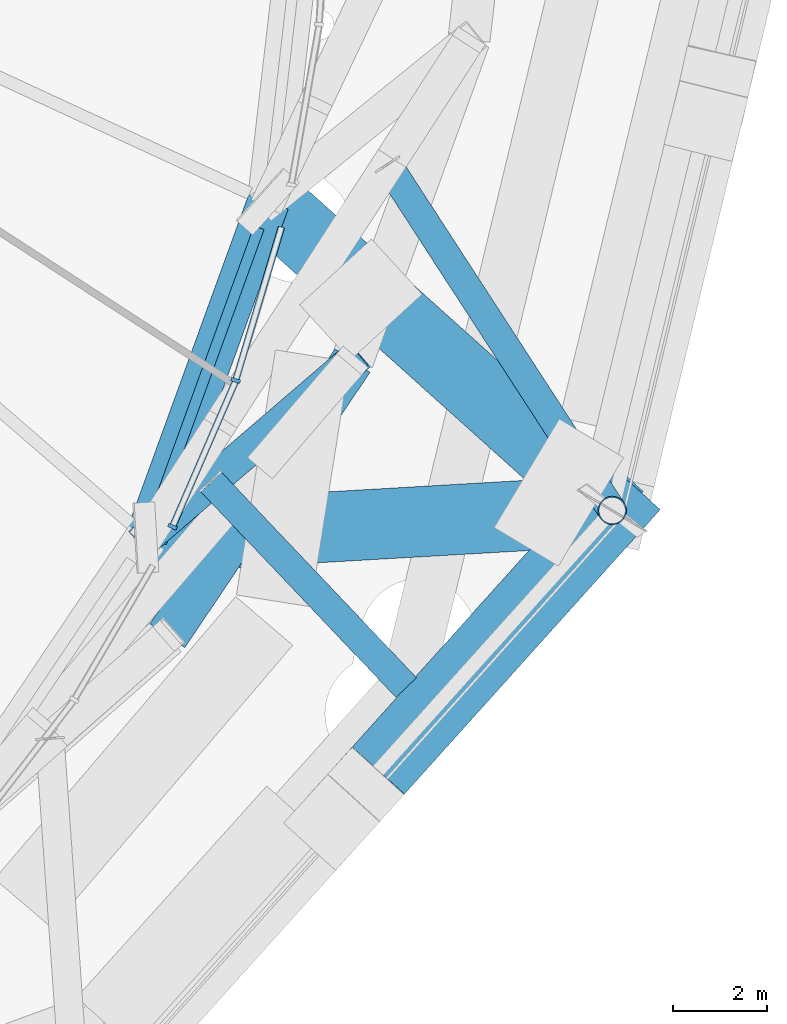
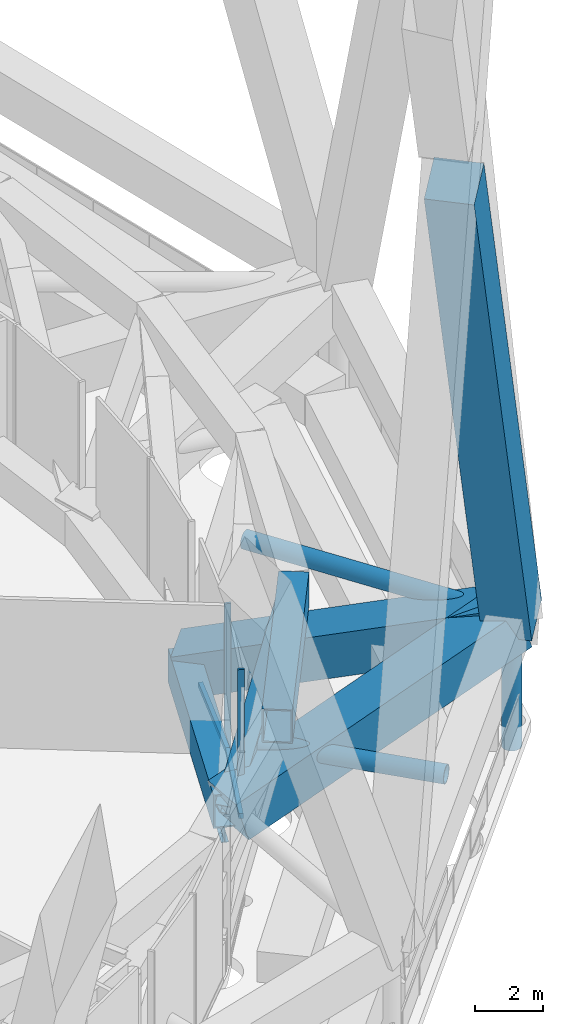
# One storey, part 20 of 49: 10 members, 4 beams, 2 elements without a shape of their own.
"""IFC4 building model written with IfcOpenShell, lengths in metres."""

from ifc_helpers import new_model, si_unit, direction, frame, origin, origin_2d, place, context, subcontext, project, spatial, rectangle, hollow_rectangle, hollow_circle, i_section, extrude, material, layer, layer_set, material_profile, profile_set, type_object, element, aggregate, save


model = new_model("IFC4")

# Units and contexts
model_context = context("Model", 3, precision=1e-05, world=origin(), true_north=direction((0.0, 1.0)))
body_context = subcontext(model_context, "Body", "Model", "MODEL_VIEW")
ifc_project = project(units=[si_unit("LENGTHUNIT", "METRE"), si_unit("AREAUNIT", "SQUARE_METRE"), si_unit("VOLUMEUNIT", "CUBIC_METRE"), si_unit("PLANEANGLEUNIT", "RADIAN"), si_unit("MASSUNIT", "GRAM", prefix="KILO")], contexts=[model_context])

# Site, building, storey
site_placement = place(None, origin())
site = spatial("IfcSite", under=ifc_project, at=site_placement, CompositionType="ELEMENT")
building_placement = place(site_placement, origin())
building = spatial("IfcBuilding", under=site, at=building_placement, Name="Nagisa Residences", CompositionType="ELEMENT")
storey_placement = place(building_placement, frame((0.0, 0.0, 160.300048828125)))
storey = spatial("IfcBuildingStorey", under=building, at=storey_placement, Name="L40", CompositionType="ELEMENT", Elevation=160.300048828125)

# Beams
ifc_material_1 = material(Name="Steel ASTM A572 Gr 50", Category="steel")
ifc_material_profile_1 = material_profile(ifc_material_1, hollow_rectangle(XDim=0.89990234375, YDim=1.199951171875, WallThickness=0.044921875, at=origin_2d()), Name="BX 900x1200x45")
ifc_profile_set_1 = profile_set([ifc_material_profile_1], Name="Steel ASTM A572 Gr 50")
beam_type_1 = type_object("IfcBeamType", Name="Belt chord 3 BX 900x1200x45", PredefinedType="BEAM", material=ifc_profile_set_1)
beam_1_placement = place(storey_placement, frame((21.189208984375, -20.064208984375, 4.739990234375), z_axis=(0.558147783438, 0.829741557259, 0.0), x_axis=(-0.829741557259, 0.558147783438, 0.0)))
element("IfcBeam", 1, at=beam_1_placement, inside=storey, type_object=beam_type_1, Name="beam:L40:bt3t22", PredefinedType="BEAM", context=body_context, shape_type="SweptSolid", body=[
    extrude(hollow_rectangle(XDim=0.89990234375, YDim=1.199951171875, WallThickness=0.044921875, at=origin_2d()), origin(), (0.0, 0.0, 1.0), 7.08251953125),
])
beam_2_placement = place(storey_placement, frame((20.7470703125, -17.965087890625, 0.599853515625), z_axis=(0.341339120312, 0.939940213495, 0.0), x_axis=(-0.939940213495, 0.341339120312, 0.0)))
element("IfcBeam", 2, at=beam_2_placement, inside=storey, type_object=beam_type_1, Name="beam:L40:bt3b23", PredefinedType="BEAM", context=body_context, shape_type="SweptSolid", body=[
    extrude(hollow_rectangle(XDim=0.89990234375, YDim=1.199951171875, WallThickness=0.044921875, at=origin_2d()), origin(), (0.0, 0.0, 1.0), 7.619384765625),
])
ifc_material_2 = material(Name="Steel ASTM A572 Gr 50", Category="steel")
ifc_material_profile_2 = material_profile(ifc_material_2, hollow_rectangle(XDim=0.699951171875, YDim=0.699951171875, WallThickness=0.0400390625, at=origin_2d()), Name="BX 700x700x40")
ifc_profile_set_2 = profile_set([ifc_material_profile_2], Name="Steel ASTM A572 Gr 50")
beam_type_2 = type_object("IfcBeamType", Name="Belt diagonal 3 BX 700x700x40", PredefinedType="BEAM", material=ifc_profile_set_2)
beam_3_placement = place(storey_placement, frame((20.7470703125, -17.965087890625, 0.599853515625), z_axis=(0.617100266315, 0.530377849286, 0.581280137542), x_axis=(-0.651807252842, 0.75838466832, 0.0)))
element("IfcBeam", 3, at=beam_3_placement, inside=storey, type_object=beam_type_2, Name="beam:L40:bt3da23", PredefinedType="BEAM", context=body_context, shape_type="SweptSolid", body=[
    extrude(hollow_rectangle(XDim=0.699951171875, YDim=0.699951171875, WallThickness=0.0400390625, at=origin_2d()), origin(), (0.0, 0.0, 1.0), 7.12255859375),
])

# Curtain wall, member
ifc_material_3 = material(Name="Aluminium curtain wall system", Category="aluminium")
ifc_layer = layer(ifc_material_3, 0.159912109375)
ifc_layer_set = layer_set([ifc_layer], Name="CW2 CURTAIN WALL")
curtain_wall_type = type_object("IfcCurtainWallType", Name="CW2 CURTAIN WALL", PredefinedType="NOTDEFINED", material=ifc_layer_set)
curtain_wall_1_placement = place(storey_placement, origin())
curtain_wall_1 = element("IfcCurtainWall", 4, at=curtain_wall_1_placement, inside=storey, type_object=curtain_wall_type, Name="cw:CW2:L40:44", PredefinedType="NOTDEFINED")
ifc_material_4 = material(Name="Aluminium", Category="aluminium")
ifc_material_profile_3 = material_profile(ifc_material_4, rectangle(XDim=0.199951171875, YDim=0.080078125, at=origin_2d()), Name="CW2 MULLION 200x80")
ifc_profile_set_3 = profile_set([ifc_material_profile_3], Name="Aluminium")
member_type_1 = type_object("IfcMemberType", Name="CW2 MULLION 200x80", PredefinedType="MULLION", material=ifc_profile_set_3)
member_1_placement = place(storey_placement, frame((21.301513671875, -17.73388671875, 0.0), z_axis=(0.0, 0.0, 1.0), x_axis=(-0.917543276295, 0.397635934147, 0.0)))
member_1 = element("IfcMember", 5, at=member_1_placement, type_object=member_type_1, Name="CW2 mullion", PredefinedType="MULLION", context=body_context, shape_type="SweptSolid", body=[
    extrude(rectangle(XDim=0.199951171875, YDim=0.080078125, at=origin_2d()), origin(), (0.0, 0.0, 1.0), 5.33984375),
])

curtain_wall_2_placement = place(storey_placement, origin())
curtain_wall_2 = element("IfcCurtainWall", 6, at=curtain_wall_2_placement, inside=storey, type_object=curtain_wall_type, Name="cw:CW2:L40:45", PredefinedType="NOTDEFINED")
member_2_placement = place(storey_placement, frame((22.64990234375, -14.611572265625, 0.0), z_axis=(0.0, 0.0, 1.0), x_axis=(-0.958271310082, 0.285860274038, 0.0)))
member_2 = element("IfcMember", 7, at=member_2_placement, type_object=member_type_1, Name="CW2 mullion", PredefinedType="MULLION", context=body_context, shape_type="SweptSolid", body=[
    extrude(rectangle(XDim=0.199951171875, YDim=0.080078125, at=origin_2d()), origin(), (0.0, 0.0, 1.0), 5.33984375),
])

# Member
ifc_material_5 = material(Name="Aluminium", Category="aluminium")
ifc_material_profile_4 = material_profile(ifc_material_5, rectangle(XDim=0.139892578125, YDim=0.179931640625, at=origin_2d()), Name="CW2 TRANSOM 140x180")
ifc_profile_set_4 = profile_set([ifc_material_profile_4], Name="Aluminium")
member_type_2 = type_object("IfcMemberType", Name="CW2 TRANSOM 140x180", PredefinedType="USERDEFINED", material=ifc_profile_set_4)
member_3_placement = place(storey_placement, frame((21.285400390625, -17.7705078125, 0.08984375), z_axis=(0.397699840424, 0.917515578574, 0.0), x_axis=(-0.917515578574, 0.397699840424, 0.0)))
member_3 = element("IfcMember", 8, at=member_3_placement, type_object=member_type_2, Name="CW2 transom", ObjectType="TRANSOM", PredefinedType="USERDEFINED", context=body_context, shape_type="SweptSolid", body=[
    extrude(rectangle(XDim=0.139892578125, YDim=0.179931640625, at=origin_2d()), origin(), (0.0, 0.0, 1.0), 3.41064453125),
])

aggregate(curtain_wall_1, [member_1, member_3])

member_4_placement = place(storey_placement, frame((22.638427734375, -14.64990234375, 0.08984375), z_axis=(0.285862077176, 0.95827077219, 0.0), x_axis=(-0.95827077219, 0.285862077176, 0.0)))
member_4 = element("IfcMember", 9, at=member_4_placement, type_object=member_type_2, Name="CW2 transom", ObjectType="TRANSOM", PredefinedType="USERDEFINED", context=body_context, shape_type="SweptSolid", body=[
    extrude(rectangle(XDim=0.139892578125, YDim=0.179931640625, at=origin_2d()), origin(), (0.0, 0.0, 1.0), 3.452880859375),
])

aggregate(curtain_wall_2, [member_2, member_4])

# Members
ifc_material_6 = material(Name="Concrete C80", Category="concrete")
ifc_material_profile_5 = material_profile(ifc_material_6, rectangle(XDim=1.5, YDim=1.5, at=origin_2d()), Name="C80 1500x1500")
ifc_profile_set_5 = profile_set([ifc_material_profile_5], Name="Concrete C80")
member_type_3 = type_object("IfcMemberType", Name="Cage bracket 4 C80 1500x1500", PredefinedType="BRACE", material=ifc_profile_set_5)
member_5_placement = place(storey_placement, frame((30.68505859375, -17.387451171875, 3.699951171875), z_axis=(-0.709985123832, 0.63712736847, -0.299983066663), x_axis=(-0.667887231117, -0.744262484955, 0.0)))
element("IfcMember", 10, at=member_5_placement, inside=storey, type_object=member_type_3, Name="mem:L40:cg3ob09", PredefinedType="BRACE", context=body_context, shape_type="SweptSolid", body=[
    extrude(rectangle(XDim=1.5, YDim=1.5, at=origin_2d()), origin(), (0.0, 0.0, 1.0), 10.334228515625),
])
member_6_placement = place(storey_placement, frame((30.68505859375, -17.387451171875, 3.699951171875), z_axis=(-0.953164734224, -0.055401851353, -0.297334196315), x_axis=(0.058026173951, -0.99831506206, 0.0)))
element("IfcMember", 11, at=member_6_placement, inside=storey, type_object=member_type_3, Name="mem:L40:cg3ob10", PredefinedType="BRACE", context=body_context, shape_type="SweptSolid", body=[
    extrude(rectangle(XDim=1.5, YDim=1.5, at=origin_2d()), origin(), (0.0, 0.0, 1.0), 10.42626953125),
])
ifc_material_7 = material(Name="Concrete C80", Category="concrete")
ifc_material_profile_6 = material_profile(ifc_material_7, rectangle(XDim=1.5, YDim=1.5, at=origin_2d()), Name="C80 1500x1500")
ifc_profile_set_6 = profile_set([ifc_material_profile_6], Name="Concrete C80")
member_type_4 = type_object("IfcMemberType", Name="Cage diagonal 4 C80 1500x1500", PredefinedType="BRACE", material=ifc_profile_set_6)
member_7_placement = place(storey_placement, frame((30.68505859375, -17.387451171875, 3.699951171875), z_axis=(-0.240098829084, -0.266960180827, 0.933319245556), x_axis=(0.743523069857, -0.668710284496, 0.0)))
element("IfcMember", 12, at=member_7_placement, inside=storey, type_object=member_type_4, Name="mem:L40:cg4d022a", PredefinedType="BRACE", context=body_context, shape_type="SweptSolid", body=[
    extrude(rectangle(XDim=1.5, YDim=1.5, at=origin_2d()), origin(), (0.0, 0.0, 1.0), 22.740478515625),
])
ifc_material_8 = material(Name="Steel ASTM A572 Gr 65", Category="steel")
ifc_material_profile_7 = material_profile(ifc_material_8, hollow_circle(Radius=0.304931640625, WallThickness=0.02490234375, at=origin_2d()), Name="CHS 610x25")
ifc_profile_set_7 = profile_set([ifc_material_profile_7], Name="Steel ASTM A572 Gr 65")
member_type_5 = type_object("IfcMemberType", Name="Cage strut CHS 610x25", PredefinedType="STRUT", material=ifc_profile_set_7)
member_8_placement = place(storey_placement, frame((26.28955078125, -21.165283203125, 1.89990234375), z_axis=(-0.688352506406, 0.725376334688, 0.0), x_axis=(-0.725376334688, -0.688352506406, 0.0)))
element("IfcMember", 13, at=member_8_placement, inside=storey, type_object=member_type_5, Name="mem:L40:bt3st3a12", PredefinedType="STRUT", context=body_context, shape_type="SweptSolid", body=[
    extrude(hollow_circle(Radius=0.304931640625, WallThickness=0.02490234375, at=origin_2d()), origin(), (0.0, 0.0, 1.0), 6.046875),
])
member_9_placement = place(storey_placement, frame((30.68505859375, -17.387451171875, 3.699951171875), z_axis=(-0.544366467882, 0.838847512153, 0.0), x_axis=(-0.838847512153, -0.544366467882, 0.0)))
element("IfcMember", 14, at=member_9_placement, inside=storey, type_object=member_type_5, Name="mem:L40:bt3st4b12", PredefinedType="STRUT", context=body_context, shape_type="SweptSolid", body=[
    extrude(hollow_circle(Radius=0.304931640625, WallThickness=0.02490234375, at=origin_2d()), origin(), (0.0, 0.0, 1.0), 8.792236328125),
])
ifc_material_9 = material(Name="Steel ASTM A572 Gr 65", Category="steel")
ifc_material_profile_8 = material_profile(ifc_material_9, hollow_circle(Radius=0.304931640625, WallThickness=0.02490234375, at=origin_2d()), Name="CHS 610x25")
ifc_profile_set_8 = profile_set([ifc_material_profile_8], Name="Steel ASTM A572 Gr 65")
member_type_6 = type_object("IfcMemberType", Name="Deck hanger CHS 610x25", PredefinedType="POST", material=ifc_profile_set_8)
member_10_placement = place(storey_placement, frame((30.68505859375, -17.387451171875, 2.949951171875), z_axis=(0.0, 0.0, -1.0), x_axis=(1.0, 0.0, 0.0)))
element("IfcMember", 15, at=member_10_placement, inside=storey, type_object=member_type_6, Name="mem:L40:deckhanger09", PredefinedType="POST", context=body_context, shape_type="SweptSolid", body=[
    extrude(hollow_circle(Radius=0.304931640625, WallThickness=0.02490234375, at=origin_2d()), origin(), (0.0, 0.0, 1.0), 3.840087890625),
])

# Beam
ifc_material_10 = material(Name="Steel ASTM A572 Gr 50", Category="steel")
ifc_material_profile_9 = material_profile(ifc_material_10, i_section(OverallWidth=0.22802734375, OverallDepth=0.60302734375, WebThickness=0.010498046875, FlangeThickness=0.014892578125, at=origin_2d()), Name="W610x101")
ifc_profile_set_9 = profile_set([ifc_material_profile_9], Name="Steel ASTM A572 Gr 50")
beam_type_3 = type_object("IfcBeamType", Name="Perimeter ring beam W610x101", PredefinedType="BEAM", material=ifc_profile_set_9)
beam_4_placement = place(storey_placement, frame((20.946533203125, -17.415771484375, -0.651611328125), z_axis=(0.341332802315, 0.93994250785, 0.0), x_axis=(-0.93994250785, 0.341332802315, 0.0)))
element("IfcBeam", 16, at=beam_4_placement, inside=storey, type_object=beam_type_3, Name="beam:L40:pb23", PredefinedType="BEAM", context=body_context, shape_type="SweptSolid", body=[
    extrude(i_section(OverallWidth=0.22802734375, OverallDepth=0.60302734375, WebThickness=0.010498046875, FlangeThickness=0.014892578125, at=origin_2d()), origin(), (0.0, 0.0, 1.0), 6.450927734375),
])

save(model, "model.ifc")
